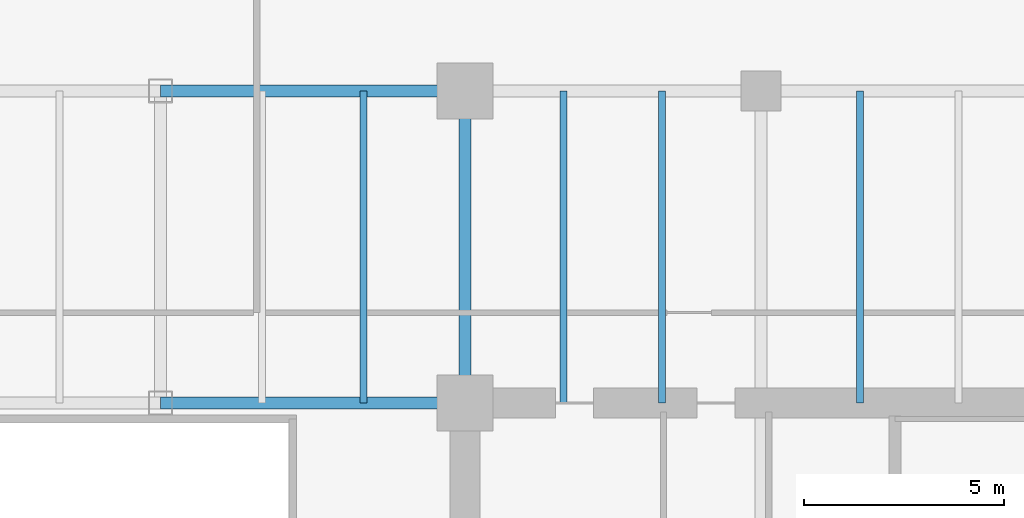
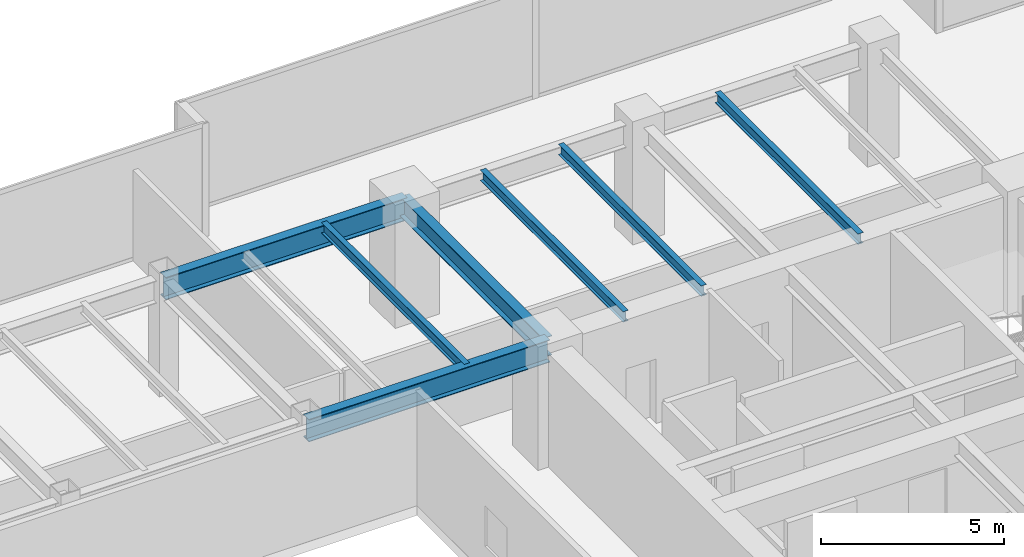
# One storey, part 19 of 35: 7 beams.
"""IFC4 building model written with IfcOpenShell, lengths in metres."""

from ifc_helpers import new_model, si_unit, direction, frame, origin, origin_2d, place, context, subcontext, project, spatial, i_section, extrude, source, transform, mapped, material, material_profile, profile_set, type_object, type_shapes, element, save


model = new_model("IFC4")

# Units and contexts
model_context = context("Model", 3, precision=1e-05, world=origin(), true_north=direction((0.0, 1.0)))
body_context = subcontext(model_context, "Body", "Model", "MODEL_VIEW")
ifc_project = project(units=[si_unit("LENGTHUNIT", "METRE"), si_unit("AREAUNIT", "SQUARE_METRE"), si_unit("VOLUMEUNIT", "CUBIC_METRE"), si_unit("PLANEANGLEUNIT", "RADIAN"), si_unit("MASSUNIT", "GRAM", prefix="KILO")], contexts=[model_context])

# Site, building, storey
site_placement = place(None, origin())
site = spatial("IfcSite", under=ifc_project, at=site_placement, CompositionType="ELEMENT")
building_placement = place(site_placement, origin())
building = spatial("IfcBuilding", under=site, at=building_placement, Name="Haelvirn Gate Laboratories", CompositionType="ELEMENT")
storey_placement = place(building_placement, frame((0.0, 0.0, 86.699951171875)))
storey = spatial("IfcBuildingStorey", under=building, at=storey_placement, Name="L21", CompositionType="ELEMENT", Elevation=86.699951171875)

# Beams
ifc_material = material(Name="Steel SM355", Category="steel")
ifc_material_profile_1 = material_profile(ifc_material, i_section(OverallWidth=0.300048828125, OverallDepth=0.75, WebThickness=0.013916015625, FlangeThickness=0.02392578125, at=origin_2d()), Name="H-750x300x14x24")
ifc_profile_set_1 = profile_set([ifc_material_profile_1], Name="Steel SM355")
beam_type_1 = type_object("IfcBeamType", Name="BM-G-750", PredefinedType="BEAM", material=ifc_profile_set_1)
shared_shape_1 = source(origin(), body_context, "Body", "SweptSolid", [
    extrude(i_section(OverallWidth=0.300048828125, OverallDepth=0.75, WebThickness=0.013916015625, FlangeThickness=0.02392578125, at=origin_2d()), origin(), (0.0, 0.0, 1.0), 7.60009765625),
])
type_shapes(beam_type_1, [shared_shape_1])
for number, where, z_axis, x_axis, name in (
    (1, (45.0, 33.800048828125, 3.405029296875), (1.0, 0.0, 0.0), (0.0, 1.0, 0.0), "L21 Primary Girder Y33.8 (45.0-52.6)"),
    (2, (45.0, 41.60009765625, 3.405029296875), (1.0, 0.0, 0.0), (0.0, 1.0, 0.0), "L21 Primary Girder Y41.6 (45.0-52.6)"),
):
    element("IfcBeam", number, at=place(storey_placement, frame(where, z_axis=z_axis, x_axis=x_axis)), inside=storey, type_object=beam_type_1, Name=name, PredefinedType="BEAM", context=body_context, shape_type="MappedRepresentation", body=[
        mapped(shared_shape_1, transform((0.0, 0.0, 0.0), scale=1.0)),
    ])
ifc_material_profile_2 = material_profile(ifc_material, i_section(OverallWidth=0.175048828125, OverallDepth=0.35009765625, WebThickness=0.007080078125, FlangeThickness=0.010986328125, at=origin_2d()), Name="H-350x175x7x11")
ifc_profile_set_2 = profile_set([ifc_material_profile_2], Name="Steel SM355")
beam_type_2 = type_object("IfcBeamType", Name="BM-J-350", PredefinedType="JOIST", material=ifc_profile_set_2)
shared_shape_2 = source(origin(), body_context, "Body", "SweptSolid", [
    extrude(i_section(OverallWidth=0.175048828125, OverallDepth=0.35009765625, WebThickness=0.007080078125, FlangeThickness=0.010986328125, at=origin_2d()), origin(), (0.0, 0.0, 1.0), 7.800048828125),
])
type_shapes(beam_type_2, [shared_shape_2])
for number, where, z_axis, x_axis, name in (
    (3, (50.070068359375, 33.800048828125, 3.60498046875), (0.0, 1.0, 0.0), (-1.0, 0.0, 0.0), "L21 Composite Lab Joist North X50.07"),
    (4, (55.070068359375, 33.800048828125, 3.60498046875), (0.0, 1.0, 0.0), (-1.0, 0.0, 0.0), "L21 Composite Lab Joist North X55.07"),
    (5, (57.530029296875, 33.800048828125, 3.60498046875), (0.0, 1.0, 0.0), (-1.0, 0.0, 0.0), "L21 Composite Lab Joist North X57.53"),
    (6, (62.469970703125, 33.800048828125, 3.60498046875), (0.0, 1.0, 0.0), (-1.0, 0.0, 0.0), "L21 Composite Lab Joist North X62.47"),
):
    element("IfcBeam", number, at=place(storey_placement, frame(where, z_axis=z_axis, x_axis=x_axis)), inside=storey, type_object=beam_type_2, Name=name, PredefinedType="JOIST", context=body_context, shape_type="MappedRepresentation", body=[
        mapped(shared_shape_2, transform((0.0, 0.0, 0.0), scale=1.0)),
    ])
ifc_material_profile_3 = material_profile(ifc_material, i_section(OverallWidth=0.300048828125, OverallDepth=0.64990234375, WebThickness=0.012939453125, FlangeThickness=0.02197265625, at=origin_2d()), Name="H-650x300x13x22")
ifc_profile_set_3 = profile_set([ifc_material_profile_3], Name="Steel SM355")
beam_type_3 = type_object("IfcBeamType", Name="BM-G-650", PredefinedType="BEAM", material=ifc_profile_set_3)
shared_shape_3 = source(origin(), body_context, "Body", "SweptSolid", [
    extrude(i_section(OverallWidth=0.300048828125, OverallDepth=0.64990234375, WebThickness=0.012939453125, FlangeThickness=0.02197265625, at=origin_2d()), origin(), (0.0, 0.0, 1.0), 7.800048828125),
])
type_shapes(beam_type_3, [shared_shape_3])
beam_placement = place(storey_placement, frame((52.60009765625, 33.800048828125, 3.455078125), z_axis=(0.0, 1.0, 0.0), x_axis=(-1.0, 0.0, 0.0)))
element("IfcBeam", 7, at=beam_placement, inside=storey, type_object=beam_type_3, Name="L21 Frame Girder X52.6 (33.8-41.6)", PredefinedType="BEAM", context=body_context, shape_type="MappedRepresentation", body=[
    mapped(shared_shape_3, transform((0.0, 0.0, 0.0), scale=1.0)),
])

save(model, "model.ifc")
